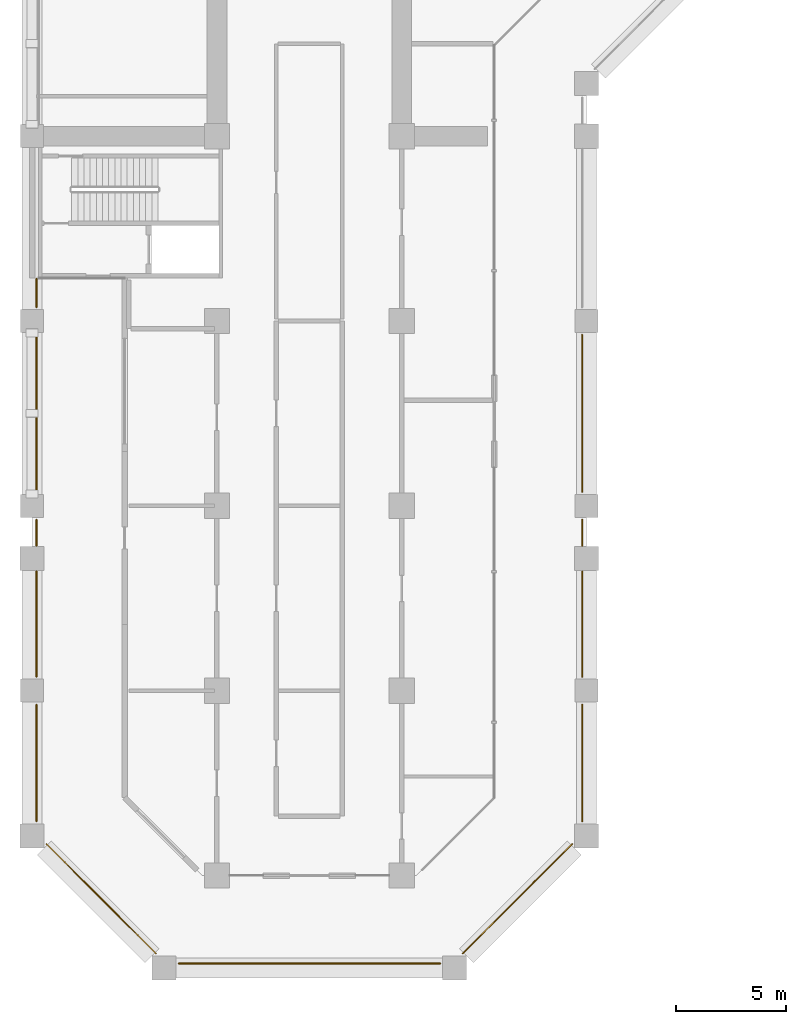
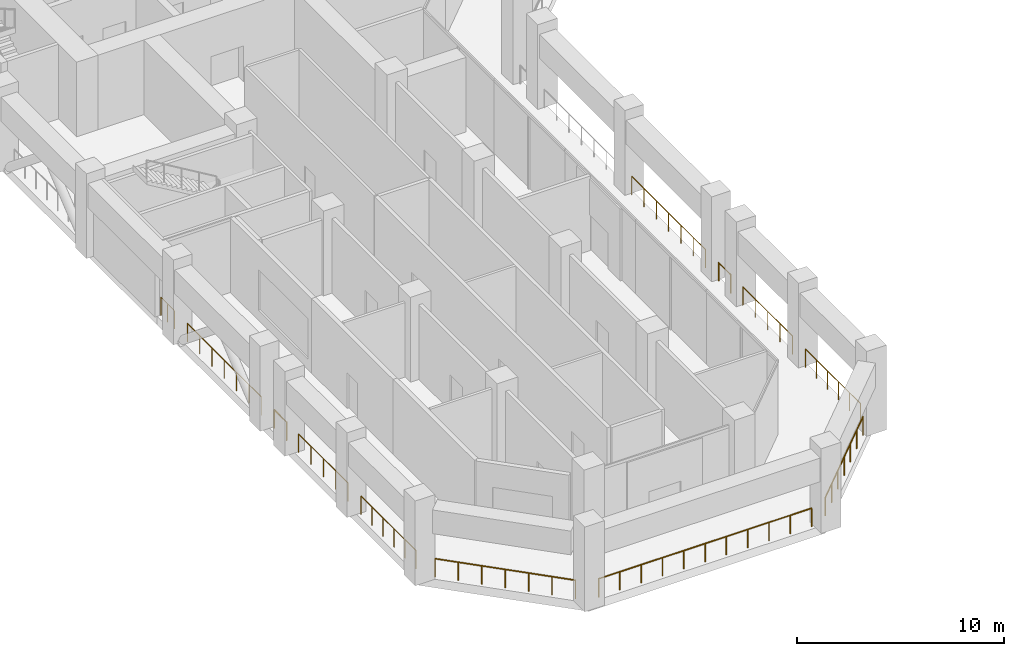
# One storey, part 13 of 19: 12 railings.
"""IFC4 building model written with IfcOpenShell, lengths in metres."""

import ifcopenshell
import ifcopenshell.guid

model = None  # the IFC model being written
_history = None  # IfcOwnerHistory: only IFC2X3 demands one
_inside = {}  # id of a spatial element -> (the spatial element, [elements in it])
_under = {}  # id of a project, library or spatial element -> (it, [spatial elements below it])
_declared = {}  # id of a project -> (the project, [libraries it declares])
_typed = {}  # id of a type object -> (the type object, [elements of that type])
_made_of = {}  # id of a material, layer set ... -> (it, [elements and type objects made of it])


def new_model(schema):
    """Start an empty IFC model of exactly this schema.

    Asked for "IFC4X3", IfcOpenShell would pick the latest addendum, in which some entities
    have other attributes; the version numbers below select the first issue.
    IFC2X3 requires an IfcOwnerHistory on every rooted entity: one is made here for all.
    """
    global model, _history
    if schema == "IFC4X3":
        model = ifcopenshell.file(schema_version=(4, 3, 0, 0))
    else:
        model = ifcopenshell.file(schema=schema)
    _inside.clear()
    _under.clear()
    _declared.clear()
    _typed.clear()
    _made_of.clear()
    _history = None
    if model.schema == "IFC2X3":
        org = make("IfcOrganization", Name="unknown")
        user = make(
            "IfcPersonAndOrganization",
            ThePerson=make("IfcPerson", FamilyName="unknown"),
            TheOrganization=org,
        )
        app = make(
            "IfcApplication",
            ApplicationDeveloper=org,
            Version="unknown",
            ApplicationFullName="unknown",
            ApplicationIdentifier="unknown",
        )
        _history = make(
            "IfcOwnerHistory",
            OwningUser=user,
            OwningApplication=app,
            ChangeAction="ADDED",
            CreationDate=0,
        )
    return model


def make(cls, **values):
    """One entity of the class cls with the attributes given. An attribute that is None is left unset."""
    return model.create_entity(
        cls, **{name: value for name, value in values.items() if value is not None}
    )


def rooted(cls, **values):
    """An entity with a GlobalId (a new one), such as an element, a storey or a relation."""
    return make(cls, GlobalId=ifcopenshell.guid.new(), OwnerHistory=_history, **values)


def si_unit(unit_type, name, prefix=None):
    """IfcSIUnit, for example si_unit("LENGTHUNIT", "METRE", prefix="MILLI")."""
    return make("IfcSIUnit", UnitType=unit_type, Prefix=prefix, Name=name)


def assignment(units):
    """IfcUnitAssignment: the units of a project."""
    return None if units is None else make("IfcUnitAssignment", Units=units)


def point(xyz):
    """IfcCartesianPoint."""
    return None if xyz is None else make("IfcCartesianPoint", Coordinates=xyz)


def direction(xyz):
    """IfcDirection."""
    return None if xyz is None else make("IfcDirection", DirectionRatios=xyz)


def frame(location, z_axis=None, x_axis=None):
    """IfcAxis2Placement3D, a coordinate frame: its origin and axes. An axis left out is left unset."""
    return make(
        "IfcAxis2Placement3D",
        Location=point(location),
        Axis=direction(z_axis),
        RefDirection=direction(x_axis),
    )


def frame_2d(location, x_axis=None):
    """IfcAxis2Placement2D, a coordinate frame in the plane: its origin and x axis."""
    return make(
        "IfcAxis2Placement2D", Location=point(location), RefDirection=direction(x_axis)
    )


def origin():
    """The frame at (0, 0, 0) with its axes left unset."""
    return frame((0.0, 0.0, 0.0))


def origin_2d():
    """The frame at (0, 0) in the plane with its x axis left unset."""
    return frame_2d((0.0, 0.0))


def place(relative_to, where):
    """IfcLocalPlacement: puts the frame where relative to a parent placement (None: the world)."""
    return make(
        "IfcLocalPlacement", PlacementRelTo=relative_to, RelativePlacement=where
    )


def context(
    kind, dimensions, precision=None, world=None, true_north=None, identifier=None
):
    """IfcGeometricRepresentationContext, for example the 3D "Model" context."""
    return make(
        "IfcGeometricRepresentationContext",
        ContextIdentifier=identifier,
        ContextType=kind,
        CoordinateSpaceDimension=dimensions,
        Precision=precision,
        WorldCoordinateSystem=world,
        TrueNorth=true_north,
    )


def subcontext(parent, identifier, kind, view, scale=None):
    """IfcGeometricRepresentationSubContext, for example "Body" below "Model"."""
    return make(
        "IfcGeometricRepresentationSubContext",
        ContextIdentifier=identifier,
        ContextType=kind,
        ParentContext=parent,
        TargetScale=scale,
        TargetView=view,
    )


def project(units=None, contexts=None):
    """IfcProject with its units and contexts."""
    return rooted(
        "IfcProject",
        Name="project",
        RepresentationContexts=contexts,
        UnitsInContext=assignment(units),
    )


def spatial(cls, under=None, at=None, **own):
    """A site, building, storey or space (cls), placed at a placement, below another one or the project."""
    s = rooted(cls, ObjectPlacement=at, **own)
    if under is not None:
        _under.setdefault(under.id(), (under, []))[1].append(s)
    return s


def profile(cls, at=None, kind="AREA", **sizes):
    """A parametric profile (cls). Its sizes go by their IFC names, for example OverallWidth=200.0."""
    return make(cls, ProfileType=kind, Position=at, **sizes)


def circle(**sizes):
    """IfcCircleProfileDef."""
    return profile("IfcCircleProfileDef", **sizes)


def extrude(swept, where, along, depth):
    """IfcExtrudedAreaSolid: the profile swept, set in the frame where, extruded along a direction by depth."""
    return make(
        "IfcExtrudedAreaSolid",
        SweptArea=swept,
        Position=where,
        ExtrudedDirection=direction(along),
        Depth=depth,
    )


def shape(context_of_items, identifier, shape_type, items):
    """IfcShapeRepresentation: the items that make up one representation, for example the "Body"."""
    return make(
        "IfcShapeRepresentation",
        ContextOfItems=context_of_items,
        RepresentationIdentifier=identifier,
        RepresentationType=shape_type,
        Items=items,
    )


def material(Name=None, Category=None):
    """IfcMaterial."""
    return make("IfcMaterial", Name=Name, Category=Category)


def made_of(thing, what):
    """Note that an element or type object is made of a material, layer set ...; save() writes the relation."""
    if what is not None:
        _made_of.setdefault(what.id(), (what, []))[1].append(thing)
    return thing


def type_object(cls, material=None, **own):
    """A type object (cls), such as IfcWallType, which elements share."""
    return made_of(rooted(cls, **own), material)


def element(
    cls,
    number,
    at=None,
    inside=None,
    cuts=None,
    type_object=None,
    material=None,
    context=None,
    identifier="Body",
    shape_type=None,
    held_by="IfcProductDefinitionShape",
    body=None,
    shapes=None,
    **own,
):
    """One element of the class cls, such as IfcWall. Its Tag is "e" and its number.

    at: its placement. inside: the storey or other place that contains it. cuts: it is an
    opening in that element (IfcRelVoidsElement). A single representation is given by context,
    identifier, shape_type and body (its items); several are given by shapes. held_by: the class
    of the entity that holds the representations. save() writes the other relations.
    """
    e = rooted(cls, Tag="e%d" % number, ObjectPlacement=at, **own)
    if body is not None:
        shapes = [shape(context, identifier, shape_type, body)]
    if shapes is not None:
        e.Representation = make(held_by, Representations=shapes)
    if inside is not None:
        _inside.setdefault(inside.id(), (inside, []))[1].append(e)
    if cuts is not None:
        rooted(
            "IfcRelVoidsElement", RelatingBuildingElement=cuts, RelatedOpeningElement=e
        )
    if type_object is not None:
        _typed.setdefault(type_object.id(), (type_object, []))[1].append(e)
    return made_of(e, material)


def aggregate(whole, parts):
    """IfcRelAggregates: a whole, such as a stair, and the parts it consists of."""
    return rooted("IfcRelAggregates", RelatingObject=whole, RelatedObjects=parts)


def save(model, path):
    """Write the relations noted so far, then the file.

    IfcRelAggregates (storeys below a building ...), IfcRelContainedInSpatialStructure (elements
    in a storey), IfcRelDefinesByType, IfcRelAssociatesMaterial and IfcRelDeclares: one each for
    every whole, place, type object, material and project.
    """
    for whole, parts in _under.values():
        aggregate(whole, parts)
    for where, things in _inside.values():
        rooted(
            "IfcRelContainedInSpatialStructure",
            RelatedElements=things,
            RelatingStructure=where,
        )
    for kind, things in _typed.values():
        rooted("IfcRelDefinesByType", RelatedObjects=things, RelatingType=kind)
    for what, things in _made_of.values():
        rooted("IfcRelAssociatesMaterial", RelatedObjects=things, RelatingMaterial=what)
    for by, libraries in _declared.values():
        rooted("IfcRelDeclares", RelatingContext=by, RelatedDefinitions=libraries)
    model.write(path)


model = new_model("IFC4")

# Units and contexts
model_context = context("Model", 3, precision=1e-05, world=origin(), true_north=direction((0.0, 1.0)))
body_context = subcontext(model_context, "Body", "Model", "MODEL_VIEW")
ifc_project = project(units=[si_unit("LENGTHUNIT", "METRE"), si_unit("AREAUNIT", "SQUARE_METRE"), si_unit("VOLUMEUNIT", "CUBIC_METRE"), si_unit("PLANEANGLEUNIT", "RADIAN"), si_unit("MASSUNIT", "GRAM", prefix="KILO")], contexts=[model_context])

# Site, building, storey
site_placement = place(None, origin())
site = spatial("IfcSite", under=ifc_project, at=site_placement, CompositionType="ELEMENT")
building_placement = place(site_placement, origin())
building = spatial("IfcBuilding", under=site, at=building_placement, Name="Kawkab Arch Medical Tower", CompositionType="ELEMENT")
storey_placement = place(building_placement, frame((0.0, 0.0, 93.800048828125)))
storey = spatial("IfcBuildingStorey", under=building, at=storey_placement, Name="L21", CompositionType="ELEMENT", Elevation=93.800048828125)

# Railings
ifc_material = material(Name="Bronze anodised aluminium guard", Category="aluminium")
railing_type = type_object("IfcRailingType", Name="Loggia and terrace guard 1100", PredefinedType="GUARDRAIL", material=ifc_material)
railing_1_placement = place(storey_placement, frame((0.199951171875, -40.080078125, 0.0)))
element("IfcRailing", 1, at=railing_1_placement, inside=storey, type_object=railing_type, Name="Guard L21.REF-01.1.1", PredefinedType="GUARDRAIL", context=body_context, shape_type="SweptSolid", body=[
    extrude(circle(Radius=0.02392578125, at=origin_2d()), frame((0.0, 0.0, 1.076171875), z_axis=(0.0, -1.0, 0.0), x_axis=(1.0, 0.0, 0.0)), (0.0, 0.0, 1.0), 1.2900390625),
    extrude(circle(Radius=0.02099609375, at=origin_2d()), origin(), (0.0, 0.0, 1.0), 1.052001953125),
    extrude(circle(Radius=0.02099609375, at=origin_2d()), frame((0.0, -0.64501953125, 0.0)), (0.0, 0.0, 1.0), 1.052001953125),
    extrude(circle(Radius=0.02099609375, at=origin_2d()), frame((0.0, -1.2900390625, 0.0)), (0.0, 0.0, 1.0), 1.052001953125),
])
railing_2_placement = place(storey_placement, frame((0.199951171875, -42.6298828125, 0.0)))
element("IfcRailing", 2, at=railing_2_placement, inside=storey, type_object=railing_type, Name="Guard L21.REF-01.1.2", PredefinedType="GUARDRAIL", context=body_context, shape_type="SweptSolid", body=[
    extrude(circle(Radius=0.02392578125, at=origin_2d()), frame((0.0, 0.0, 1.076171875), z_axis=(0.0, -1.0, 0.0), x_axis=(1.0, 0.0, 0.0)), (0.0, 0.0, 1.0), 7.14013671875),
    extrude(circle(Radius=0.02099609375, at=origin_2d()), origin(), (0.0, 0.0, 1.0), 1.052001953125),
    extrude(circle(Radius=0.02099609375, at=origin_2d()), frame((0.0, -1.18994140625, 0.0)), (0.0, 0.0, 1.0), 1.052001953125),
    extrude(circle(Radius=0.02099609375, at=origin_2d()), frame((0.0, -2.380126953125, 0.0)), (0.0, 0.0, 1.0), 1.052001953125),
    extrude(circle(Radius=0.02099609375, at=origin_2d()), frame((0.0, -3.570068359375, 0.0)), (0.0, 0.0, 1.0), 1.052001953125),
    extrude(circle(Radius=0.02099609375, at=origin_2d()), frame((0.0, -4.760009765625, 0.0)), (0.0, 0.0, 1.0), 1.052001953125),
    extrude(circle(Radius=0.02099609375, at=origin_2d()), frame((0.0, -5.9501953125, 0.0)), (0.0, 0.0, 1.0), 1.052001953125),
    extrude(circle(Radius=0.02099609375, at=origin_2d()), frame((0.0, -7.14013671875, 0.0)), (0.0, 0.0, 1.0), 1.052001953125),
])
railing_3_placement = place(storey_placement, frame((0.199951171875, -51.030029296875, 0.0)))
element("IfcRailing", 3, at=railing_3_placement, inside=storey, type_object=railing_type, Name="Guard L21.REF-01.1.3", PredefinedType="GUARDRAIL", context=body_context, shape_type="SweptSolid", body=[
    extrude(circle(Radius=0.02392578125, at=origin_2d()), frame((0.0, 0.0, 1.076171875), z_axis=(0.0, -1.0, 0.0), x_axis=(1.0, 0.0, 0.0)), (0.0, 0.0, 1.0), 1.18994140625),
    extrude(circle(Radius=0.02099609375, at=origin_2d()), origin(), (0.0, 0.0, 1.0), 1.052001953125),
    extrude(circle(Radius=0.02099609375, at=origin_2d()), frame((0.0, -1.18994140625, 0.0)), (0.0, 0.0, 1.0), 1.052001953125),
])
railing_4_placement = place(storey_placement, frame((0.199951171875, -53.3798828125, 0.0)))
element("IfcRailing", 4, at=railing_4_placement, inside=storey, type_object=railing_type, Name="Guard L21.REF-01.1.4", PredefinedType="GUARDRAIL", context=body_context, shape_type="SweptSolid", body=[
    extrude(circle(Radius=0.02392578125, at=origin_2d()), frame((0.0, 0.0, 1.076171875), z_axis=(0.0, -1.0, 0.0), x_axis=(1.0, 0.0, 0.0)), (0.0, 0.0, 1.0), 4.7900390625),
    extrude(circle(Radius=0.02099609375, at=origin_2d()), origin(), (0.0, 0.0, 1.0), 1.052001953125),
    extrude(circle(Radius=0.02099609375, at=origin_2d()), frame((0.0, -1.197509765625, 0.0)), (0.0, 0.0, 1.0), 1.052001953125),
    extrude(circle(Radius=0.02099609375, at=origin_2d()), frame((0.0, -2.39501953125, 0.0)), (0.0, 0.0, 1.0), 1.052001953125),
    extrude(circle(Radius=0.02099609375, at=origin_2d()), frame((0.0, -3.592529296875, 0.0)), (0.0, 0.0, 1.0), 1.052001953125),
    extrude(circle(Radius=0.02099609375, at=origin_2d()), frame((0.0, -4.7900390625, 0.0)), (0.0, 0.0, 1.0), 1.052001953125),
])
railing_5_placement = place(storey_placement, frame((0.199951171875, -59.429931640625, 0.0)))
element("IfcRailing", 5, at=railing_5_placement, inside=storey, type_object=railing_type, Name="Guard L21.REF-01.1.5", PredefinedType="GUARDRAIL", context=body_context, shape_type="SweptSolid", body=[
    extrude(circle(Radius=0.02392578125, at=origin_2d()), frame((0.0, 0.0, 1.076171875), z_axis=(0.0, -1.0, 0.0), x_axis=(1.0, 0.0, 0.0)), (0.0, 0.0, 1.0), 5.315185546875),
    extrude(circle(Radius=0.02099609375, at=origin_2d()), origin(), (0.0, 0.0, 1.0), 1.052001953125),
    extrude(circle(Radius=0.02099609375, at=origin_2d()), frame((0.0, -1.06298828125, 0.0)), (0.0, 0.0, 1.0), 1.052001953125),
    extrude(circle(Radius=0.02099609375, at=origin_2d()), frame((0.0, -2.1259765625, 0.0)), (0.0, 0.0, 1.0), 1.052001953125),
    extrude(circle(Radius=0.02099609375, at=origin_2d()), frame((0.0, -3.189208984375, 0.0)), (0.0, 0.0, 1.0), 1.052001953125),
    extrude(circle(Radius=0.02099609375, at=origin_2d()), frame((0.0, -4.252197265625, 0.0)), (0.0, 0.0, 1.0), 1.052001953125),
    extrude(circle(Radius=0.02099609375, at=origin_2d()), frame((0.0, -5.315185546875, 0.0)), (0.0, 0.0, 1.0), 1.052001953125),
])
railing_6_placement = place(storey_placement, frame((0.655029296875, -65.77197265625, 0.0)))
element("IfcRailing", 6, at=railing_6_placement, inside=storey, type_object=railing_type, Name="Guard L21.REF-01.1.6", PredefinedType="GUARDRAIL", context=body_context, shape_type="SweptSolid", body=[
    extrude(circle(Radius=0.02392578125, at=origin_2d()), frame((0.0, 0.0, 1.076171875), z_axis=(0.707089423975, -0.707124137972, 0.0), x_axis=(0.707124137972, 0.707089423975, 0.0)), (0.0, 0.0, 1.0), 7.032958984375),
    extrude(circle(Radius=0.02099609375, at=origin_2d()), origin(), (0.0, 0.0, 1.0), 1.052001953125),
    extrude(circle(Radius=0.02099609375, at=origin_2d()), frame((0.828857421875, -0.828857421875, 0.0)), (0.0, 0.0, 1.0), 1.052001953125),
    extrude(circle(Radius=0.02099609375, at=origin_2d()), frame((1.65771484375, -1.65771484375, 0.0)), (0.0, 0.0, 1.0), 1.052001953125),
    extrude(circle(Radius=0.02099609375, at=origin_2d()), frame((2.486328125, -2.486572265625, 0.0)), (0.0, 0.0, 1.0), 1.052001953125),
    extrude(circle(Radius=0.02099609375, at=origin_2d()), frame((3.315185546875, -3.3154296875, 0.0)), (0.0, 0.0, 1.0), 1.052001953125),
    extrude(circle(Radius=0.02099609375, at=origin_2d()), frame((4.14404296875, -4.144287109375, 0.0)), (0.0, 0.0, 1.0), 1.052001953125),
    extrude(circle(Radius=0.02099609375, at=origin_2d()), frame((4.972900390625, -4.97314453125, 0.0)), (0.0, 0.0, 1.0), 1.052001953125),
])
railing_7_placement = place(storey_placement, frame((6.655029296875, -71.199951171875, 0.0)))
element("IfcRailing", 7, at=railing_7_placement, inside=storey, type_object=railing_type, Name="Guard L21.REF-01.1.7", PredefinedType="GUARDRAIL", context=body_context, shape_type="SweptSolid", body=[
    extrude(circle(Radius=0.02392578125, at=origin_2d()), frame((0.0, 0.0, 1.076171875), z_axis=(1.0, 0.0, 0.0), x_axis=(0.0, 1.0, 0.0)), (0.0, 0.0, 1.0), 11.889892578125),
    extrude(circle(Radius=0.02099609375, at=origin_2d()), origin(), (0.0, 0.0, 1.0), 1.052001953125),
    extrude(circle(Radius=0.02099609375, at=origin_2d()), frame((1.18896484375, 0.0, 0.0)), (0.0, 0.0, 1.0), 1.052001953125),
    extrude(circle(Radius=0.02099609375, at=origin_2d()), frame((2.3779296875, 0.0, 0.0)), (0.0, 0.0, 1.0), 1.052001953125),
    extrude(circle(Radius=0.02099609375, at=origin_2d()), frame((3.56689453125, 0.0, 0.0)), (0.0, 0.0, 1.0), 1.052001953125),
    extrude(circle(Radius=0.02099609375, at=origin_2d()), frame((4.755859375, 0.0, 0.0)), (0.0, 0.0, 1.0), 1.052001953125),
    extrude(circle(Radius=0.02099609375, at=origin_2d()), frame((5.94482421875, 0.0, 0.0)), (0.0, 0.0, 1.0), 1.052001953125),
    extrude(circle(Radius=0.02099609375, at=origin_2d()), frame((7.134033203125, 0.0, 0.0)), (0.0, 0.0, 1.0), 1.052001953125),
    extrude(circle(Radius=0.02099609375, at=origin_2d()), frame((8.322998046875, 0.0, 0.0)), (0.0, 0.0, 1.0), 1.052001953125),
    extrude(circle(Radius=0.02099609375, at=origin_2d()), frame((9.511962890625, 0.0, 0.0)), (0.0, 0.0, 1.0), 1.052001953125),
    extrude(circle(Radius=0.02099609375, at=origin_2d()), frame((10.700927734375, 0.0, 0.0)), (0.0, 0.0, 1.0), 1.052001953125),
    extrude(circle(Radius=0.02099609375, at=origin_2d()), frame((11.889892578125, 0.0, 0.0)), (0.0, 0.0, 1.0), 1.052001953125),
])
railing_8_placement = place(storey_placement, frame((19.572021484375, -70.7451171875, 0.0)))
element("IfcRailing", 8, at=railing_8_placement, inside=storey, type_object=railing_type, Name="Guard L21.REF-01.1.8", PredefinedType="GUARDRAIL", context=body_context, shape_type="SweptSolid", body=[
    extrude(circle(Radius=0.02392578125, at=origin_2d()), frame((0.0, 0.0, 1.076171875), z_axis=(0.707089423975, 0.707124137972, 0.0), x_axis=(-0.707124137972, 0.707089423975, 0.0)), (0.0, 0.0, 1.0), 7.032958984375),
    extrude(circle(Radius=0.02099609375, at=origin_2d()), origin(), (0.0, 0.0, 1.0), 1.052001953125),
    extrude(circle(Radius=0.02099609375, at=origin_2d()), frame((0.828857421875, 0.828857421875, 0.0)), (0.0, 0.0, 1.0), 1.052001953125),
    extrude(circle(Radius=0.02099609375, at=origin_2d()), frame((1.65771484375, 1.65771484375, 0.0)), (0.0, 0.0, 1.0), 1.052001953125),
    extrude(circle(Radius=0.02099609375, at=origin_2d()), frame((2.486328125, 2.486572265625, 0.0)), (0.0, 0.0, 1.0), 1.052001953125),
    extrude(circle(Radius=0.02099609375, at=origin_2d()), frame((3.315185546875, 3.3154296875, 0.0)), (0.0, 0.0, 1.0), 1.052001953125),
    extrude(circle(Radius=0.02099609375, at=origin_2d()), frame((4.14404296875, 4.144287109375, 0.0)), (0.0, 0.0, 1.0), 1.052001953125),
    extrude(circle(Radius=0.02099609375, at=origin_2d()), frame((4.972900390625, 4.97314453125, 0.0)), (0.0, 0.0, 1.0), 1.052001953125),
])
railing_9_placement = place(storey_placement, frame((25.0, -64.7451171875, 0.0)))
element("IfcRailing", 9, at=railing_9_placement, inside=storey, type_object=railing_type, Name="Guard L21.REF-01.1.9", PredefinedType="GUARDRAIL", context=body_context, shape_type="SweptSolid", body=[
    extrude(circle(Radius=0.02392578125, at=origin_2d()), frame((0.0, 0.0, 1.076171875), z_axis=(0.0, 1.0, 0.0), x_axis=(-1.0, 0.0, 0.0)), (0.0, 0.0, 1.0), 5.315185546875),
    extrude(circle(Radius=0.02099609375, at=origin_2d()), origin(), (0.0, 0.0, 1.0), 1.052001953125),
    extrude(circle(Radius=0.02099609375, at=origin_2d()), frame((0.0, 1.06298828125, 0.0)), (0.0, 0.0, 1.0), 1.052001953125),
    extrude(circle(Radius=0.02099609375, at=origin_2d()), frame((0.0, 2.1259765625, 0.0)), (0.0, 0.0, 1.0), 1.052001953125),
    extrude(circle(Radius=0.02099609375, at=origin_2d()), frame((0.0, 3.189208984375, 0.0)), (0.0, 0.0, 1.0), 1.052001953125),
    extrude(circle(Radius=0.02099609375, at=origin_2d()), frame((0.0, 4.252197265625, 0.0)), (0.0, 0.0, 1.0), 1.052001953125),
    extrude(circle(Radius=0.02099609375, at=origin_2d()), frame((0.0, 5.315185546875, 0.0)), (0.0, 0.0, 1.0), 1.052001953125),
])
railing_10_placement = place(storey_placement, frame((25.0, -58.169921875, 0.0)))
element("IfcRailing", 10, at=railing_10_placement, inside=storey, type_object=railing_type, Name="Guard L21.REF-01.1.10", PredefinedType="GUARDRAIL", context=body_context, shape_type="SweptSolid", body=[
    extrude(circle(Radius=0.02392578125, at=origin_2d()), frame((0.0, 0.0, 1.076171875), z_axis=(0.0, 1.0, 0.0), x_axis=(-1.0, 0.0, 0.0)), (0.0, 0.0, 1.0), 4.7900390625),
    extrude(circle(Radius=0.02099609375, at=origin_2d()), origin(), (0.0, 0.0, 1.0), 1.052001953125),
    extrude(circle(Radius=0.02099609375, at=origin_2d()), frame((0.0, 1.197509765625, 0.0)), (0.0, 0.0, 1.0), 1.052001953125),
    extrude(circle(Radius=0.02099609375, at=origin_2d()), frame((0.0, 2.39501953125, 0.0)), (0.0, 0.0, 1.0), 1.052001953125),
    extrude(circle(Radius=0.02099609375, at=origin_2d()), frame((0.0, 3.592529296875, 0.0)), (0.0, 0.0, 1.0), 1.052001953125),
    extrude(circle(Radius=0.02099609375, at=origin_2d()), frame((0.0, 4.7900390625, 0.0)), (0.0, 0.0, 1.0), 1.052001953125),
])
railing_11_placement = place(storey_placement, frame((25.0, -52.219970703125, 0.0)))
element("IfcRailing", 11, at=railing_11_placement, inside=storey, type_object=railing_type, Name="Guard L21.REF-01.1.11", PredefinedType="GUARDRAIL", context=body_context, shape_type="SweptSolid", body=[
    extrude(circle(Radius=0.02392578125, at=origin_2d()), frame((0.0, 0.0, 1.076171875), z_axis=(0.0, 1.0, 0.0), x_axis=(-1.0, 0.0, 0.0)), (0.0, 0.0, 1.0), 1.18994140625),
    extrude(circle(Radius=0.02099609375, at=origin_2d()), origin(), (0.0, 0.0, 1.0), 1.052001953125),
    extrude(circle(Radius=0.02099609375, at=origin_2d()), frame((0.0, 1.18994140625, 0.0)), (0.0, 0.0, 1.0), 1.052001953125),
])
railing_12_placement = place(storey_placement, frame((25.0, -49.77001953125, 0.0)))
element("IfcRailing", 12, at=railing_12_placement, inside=storey, type_object=railing_type, Name="Guard L21.REF-01.1.12", PredefinedType="GUARDRAIL", context=body_context, shape_type="SweptSolid", body=[
    extrude(circle(Radius=0.02392578125, at=origin_2d()), frame((0.0, 0.0, 1.076171875), z_axis=(0.0, 1.0, 0.0), x_axis=(-1.0, 0.0, 0.0)), (0.0, 0.0, 1.0), 7.14013671875),
    extrude(circle(Radius=0.02099609375, at=origin_2d()), origin(), (0.0, 0.0, 1.0), 1.052001953125),
    extrude(circle(Radius=0.02099609375, at=origin_2d()), frame((0.0, 1.18994140625, 0.0)), (0.0, 0.0, 1.0), 1.052001953125),
    extrude(circle(Radius=0.02099609375, at=origin_2d()), frame((0.0, 2.380126953125, 0.0)), (0.0, 0.0, 1.0), 1.052001953125),
    extrude(circle(Radius=0.02099609375, at=origin_2d()), frame((0.0, 3.570068359375, 0.0)), (0.0, 0.0, 1.0), 1.052001953125),
    extrude(circle(Radius=0.02099609375, at=origin_2d()), frame((0.0, 4.760009765625, 0.0)), (0.0, 0.0, 1.0), 1.052001953125),
    extrude(circle(Radius=0.02099609375, at=origin_2d()), frame((0.0, 5.9501953125, 0.0)), (0.0, 0.0, 1.0), 1.052001953125),
    extrude(circle(Radius=0.02099609375, at=origin_2d()), frame((0.0, 7.14013671875, 0.0)), (0.0, 0.0, 1.0), 1.052001953125),
])

save(model, "model.ifc")
